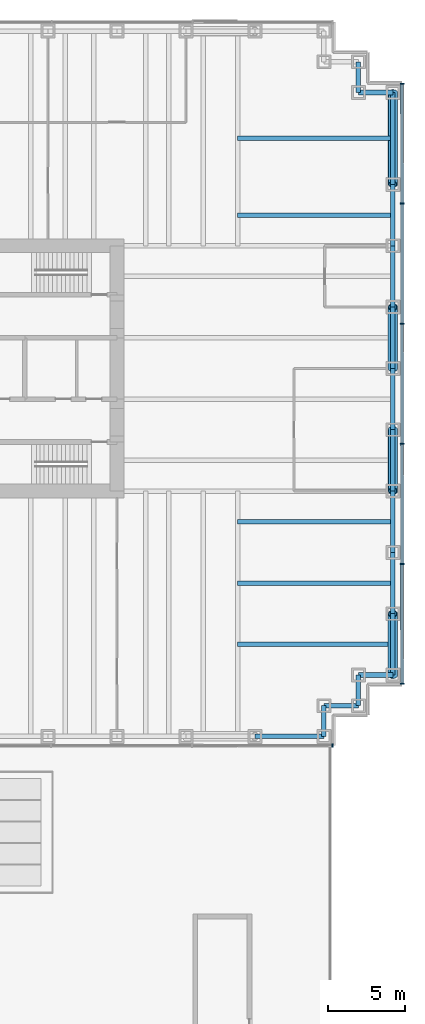
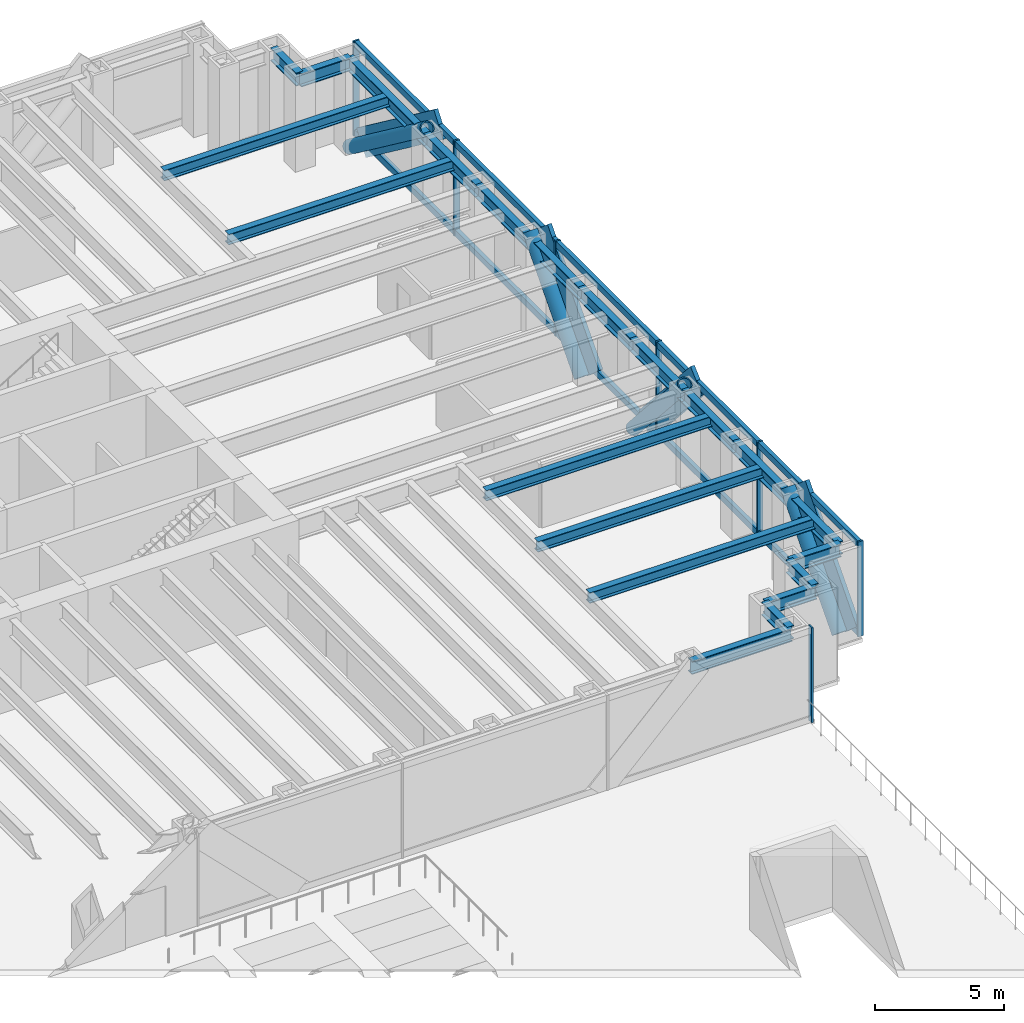
# One storey, part 6 of 15: 25 members, 21 beams, 2 elements without a shape of their own.
"""IFC4 building model written with IfcOpenShell, lengths in metres."""

from ifc_helpers import new_model, si_unit, direction, frame, origin, origin_2d, place, context, subcontext, project, spatial, rectangle, hollow_circle, i_section, extrude, material, material_profile, profile_set, type_object, element, aggregate, save


model = new_model("IFC4")

# Units and contexts
model_context = context("Model", 3, precision=1e-05, world=origin(), true_north=direction((0.0, 1.0)))
body_context = subcontext(model_context, "Body", "Model", "MODEL_VIEW")
ifc_project = project(units=[si_unit("LENGTHUNIT", "METRE"), si_unit("AREAUNIT", "SQUARE_METRE"), si_unit("VOLUMEUNIT", "CUBIC_METRE"), si_unit("PLANEANGLEUNIT", "RADIAN"), si_unit("MASSUNIT", "GRAM", prefix="KILO")], contexts=[model_context])

# Site, building, storey
site_placement = place(None, origin())
site = spatial("IfcSite", under=ifc_project, at=site_placement, CompositionType="ELEMENT")
building_placement = place(site_placement, origin())
building = spatial("IfcBuilding", under=site, at=building_placement, Name="Rheinbord Bourse Tower", CompositionType="ELEMENT")
storey_placement = place(building_placement, frame((0.0, 0.0, 23.0)))
storey = spatial("IfcBuildingStorey", under=building, at=storey_placement, Name="L04", CompositionType="ELEMENT", Elevation=23.0)

# Curtain wall, members
ifc_material_1 = material(Name="Dark glass and black aluminium", Category="aluminium")
curtain_wall_type = type_object("IfcCurtainWallType", Name="CW1 DARK GLASS CURTAIN WALL", PredefinedType="USERDEFINED", material=ifc_material_1)
curtain_wall_1_placement = place(storey_placement, origin())
curtain_wall_1 = element("IfcCurtainWall", 1, at=curtain_wall_1_placement, inside=storey, type_object=curtain_wall_type, Name="Curtain wall CW1 E L04", ObjectType="UNITISED CURTAIN WALL", PredefinedType="USERDEFINED")
ifc_material_2 = material(Name="Black anodised aluminium", Category="aluminium")
ifc_material_profile_1 = material_profile(ifc_material_2, rectangle(XDim=0.179931640625, YDim=1.2099609375, at=origin_2d()), Name="CW1 DIAGONAL MULLION 1210x180")
ifc_profile_set_1 = profile_set([ifc_material_profile_1], Name="Black anodised aluminium")
member_type_1 = type_object("IfcMemberType", Name="CW1 BLACK DIAGONAL MULLION", PredefinedType="USERDEFINED", material=ifc_profile_set_1)
member_1_placement = place(storey_placement, frame((72.60009765625, 24.0, 0.0), z_axis=(0.0, 0.66436383883, 0.747409318684), x_axis=(-1.0, 0.0, 0.0)))
member_1 = element("IfcMember", 2, at=member_1_placement, type_object=member_type_1, Name="CW1 diagonal mullion a", ObjectType="DIAGONAL MULLION", PredefinedType="USERDEFINED", context=body_context, shape_type="SweptSolid", body=[
    extrude(rectangle(XDim=0.179931640625, YDim=1.2099609375, at=origin_2d()), origin(), (0.0, 0.0, 1.0), 6.020751953125),
])
member_2_placement = place(storey_placement, frame((72.60009765625, 20.0, 0.0), z_axis=(0.0, -0.66436383883, 0.747409318684), x_axis=(1.0, 0.0, 0.0)))
member_2 = element("IfcMember", 3, at=member_2_placement, type_object=member_type_1, Name="CW1 diagonal mullion b", ObjectType="DIAGONAL MULLION", PredefinedType="USERDEFINED", context=body_context, shape_type="SweptSolid", body=[
    extrude(rectangle(XDim=0.179931640625, YDim=1.2099609375, at=origin_2d()), origin(), (0.0, 0.0, 1.0), 6.020751953125),
])
member_3_placement = place(storey_placement, frame((72.60009765625, 42.0, 0.0), z_axis=(0.0, -0.8, 0.6), x_axis=(1.0, 0.0, 0.0)))
member_3 = element("IfcMember", 4, at=member_3_placement, type_object=member_type_1, Name="CW1 diagonal mullion c", ObjectType="DIAGONAL MULLION", PredefinedType="USERDEFINED", context=body_context, shape_type="SweptSolid", body=[
    extrude(rectangle(XDim=0.179931640625, YDim=1.2099609375, at=origin_2d()), origin(), (0.0, 0.0, 1.0), 7.5),
])
member_4_placement = place(storey_placement, frame((72.60009765625, 4.0, 0.0), z_axis=(0.0, 0.66436383883, 0.747409318684), x_axis=(-1.0, 0.0, 0.0)))
member_4 = element("IfcMember", 5, at=member_4_placement, type_object=member_type_1, Name="CW1 diagonal mullion d", ObjectType="DIAGONAL MULLION", PredefinedType="USERDEFINED", context=body_context, shape_type="SweptSolid", body=[
    extrude(rectangle(XDim=0.179931640625, YDim=1.2099609375, at=origin_2d()), origin(), (0.0, 0.0, 1.0), 6.020751953125),
])

# Curtain wall, member
curtain_wall_2_placement = place(storey_placement, origin())
curtain_wall_2 = element("IfcCurtainWall", 6, at=curtain_wall_2_placement, inside=storey, type_object=curtain_wall_type, Name="Curtain wall CW1 S L04", ObjectType="UNITISED CURTAIN WALL", PredefinedType="USERDEFINED")
ifc_material_3 = material(Name="Black anodised aluminium", Category="aluminium")
ifc_material_profile_2 = material_profile(ifc_material_3, rectangle(XDim=0.25, YDim=0.080078125, at=origin_2d()), Name="CW1 MULLION 80x250")
ifc_profile_set_2 = profile_set([ifc_material_profile_2], Name="Black anodised aluminium")
member_type_2 = type_object("IfcMemberType", Name="CW1 BLACK MULLION", PredefinedType="MULLION", material=ifc_profile_set_2)
member_5_placement = place(storey_placement, frame((68.06005859375, -0.60009765625, 0.0), z_axis=(0.0, 0.0, 1.0), x_axis=(0.0, 1.0, 0.0)))
member_5 = element("IfcMember", 7, at=member_5_placement, type_object=member_type_2, Name="CW1 mullion 4", PredefinedType="MULLION", context=body_context, shape_type="SweptSolid", body=[
    extrude(rectangle(XDim=0.25, YDim=0.080078125, at=origin_2d()), origin(), (0.0, 0.0, 1.0), 4.5),
])
aggregate(curtain_wall_2, [member_5])

# Member
member_6_placement = place(storey_placement, frame((72.60009765625, 3.43994140625, 0.0), z_axis=(0.0, 0.0, 1.0), x_axis=(-1.0, 0.0, 0.0)))
member_6 = element("IfcMember", 8, at=member_6_placement, type_object=member_type_2, Name="CW1 mullion 1", PredefinedType="MULLION", context=body_context, shape_type="SweptSolid", body=[
    extrude(rectangle(XDim=0.25, YDim=0.080078125, at=origin_2d()), origin(), (0.0, 0.0, 1.0), 4.5),
])

member_7_placement = place(storey_placement, frame((72.60009765625, 11.239990234375, 0.0), z_axis=(0.0, 0.0, 1.0), x_axis=(-1.0, 0.0, 0.0)))
member_7 = element("IfcMember", 9, at=member_7_placement, type_object=member_type_2, Name="CW1 mullion 2", PredefinedType="MULLION", context=body_context, shape_type="SweptSolid", body=[
    extrude(rectangle(XDim=0.25, YDim=0.080078125, at=origin_2d()), origin(), (0.0, 0.0, 1.0), 4.5),
])

member_8_placement = place(storey_placement, frame((72.60009765625, 19.080078125, 0.0), z_axis=(0.0, 0.0, 1.0), x_axis=(-1.0, 0.0, 0.0)))
member_8 = element("IfcMember", 10, at=member_8_placement, type_object=member_type_2, Name="CW1 mullion 3", PredefinedType="MULLION", context=body_context, shape_type="SweptSolid", body=[
    extrude(rectangle(XDim=0.25, YDim=0.080078125, at=origin_2d()), origin(), (0.0, 0.0, 1.0), 4.5),
])

member_9_placement = place(storey_placement, frame((72.60009765625, 26.919921875, 0.0), z_axis=(0.0, 0.0, 1.0), x_axis=(-1.0, 0.0, 0.0)))
member_9 = element("IfcMember", 11, at=member_9_placement, type_object=member_type_2, Name="CW1 mullion 4", PredefinedType="MULLION", context=body_context, shape_type="SweptSolid", body=[
    extrude(rectangle(XDim=0.25, YDim=0.080078125, at=origin_2d()), origin(), (0.0, 0.0, 1.0), 4.5),
])

member_10_placement = place(storey_placement, frame((72.60009765625, 34.760009765625, 0.0), z_axis=(0.0, 0.0, 1.0), x_axis=(-1.0, 0.0, 0.0)))
member_10 = element("IfcMember", 12, at=member_10_placement, type_object=member_type_2, Name="CW1 mullion 5", PredefinedType="MULLION", context=body_context, shape_type="SweptSolid", body=[
    extrude(rectangle(XDim=0.25, YDim=0.080078125, at=origin_2d()), origin(), (0.0, 0.0, 1.0), 4.5),
])

member_11_placement = place(storey_placement, frame((72.60009765625, 42.56005859375, 0.0), z_axis=(0.0, 0.0, 1.0), x_axis=(-1.0, 0.0, 0.0)))
member_11 = element("IfcMember", 13, at=member_11_placement, type_object=member_type_2, Name="CW1 mullion 6", PredefinedType="MULLION", context=body_context, shape_type="SweptSolid", body=[
    extrude(rectangle(XDim=0.25, YDim=0.080078125, at=origin_2d()), origin(), (0.0, 0.0, 1.0), 4.5),
])

ifc_material_4 = material(Name="Black anodised aluminium", Category="aluminium")
ifc_material_profile_3 = material_profile(ifc_material_4, rectangle(XDim=0.179931640625, YDim=0.300048828125, at=origin_2d()), Name="CW1 TRANSOM 300x180")
ifc_profile_set_3 = profile_set([ifc_material_profile_3], Name="Black anodised aluminium")
member_type_3 = type_object("IfcMemberType", Name="CW1 BLACK TRANSOM", PredefinedType="USERDEFINED", material=ifc_profile_set_3)
member_12_placement = place(storey_placement, frame((72.60009765625, 3.47998046875, 0.14990234375), z_axis=(0.0, 1.0, 0.0), x_axis=(-1.0, 0.0, 0.0)))
member_12 = element("IfcMember", 14, at=member_12_placement, type_object=member_type_3, Name="CW1 transom 1.1", ObjectType="TRANSOM", PredefinedType="USERDEFINED", context=body_context, shape_type="SweptSolid", body=[
    extrude(rectangle(XDim=0.179931640625, YDim=0.300048828125, at=origin_2d()), origin(), (0.0, 0.0, 1.0), 7.719970703125),
])

member_13_placement = place(storey_placement, frame((72.60009765625, 3.47998046875, 4.35009765625), z_axis=(0.0, 1.0, 0.0), x_axis=(-1.0, 0.0, 0.0)))
member_13 = element("IfcMember", 15, at=member_13_placement, type_object=member_type_3, Name="CW1 transom 1.2", ObjectType="TRANSOM", PredefinedType="USERDEFINED", context=body_context, shape_type="SweptSolid", body=[
    extrude(rectangle(XDim=0.179931640625, YDim=0.300048828125, at=origin_2d()), origin(), (0.0, 0.0, 1.0), 7.719970703125),
])

member_14_placement = place(storey_placement, frame((72.60009765625, 11.280029296875, 0.14990234375), z_axis=(0.0, 1.0, 0.0), x_axis=(-1.0, 0.0, 0.0)))
member_14 = element("IfcMember", 16, at=member_14_placement, type_object=member_type_3, Name="CW1 transom 2.1", ObjectType="TRANSOM", PredefinedType="USERDEFINED", context=body_context, shape_type="SweptSolid", body=[
    extrude(rectangle(XDim=0.179931640625, YDim=0.300048828125, at=origin_2d()), origin(), (0.0, 0.0, 1.0), 7.760009765625),
])

member_15_placement = place(storey_placement, frame((72.60009765625, 11.280029296875, 4.35009765625), z_axis=(0.0, 1.0, 0.0), x_axis=(-1.0, 0.0, 0.0)))
member_15 = element("IfcMember", 17, at=member_15_placement, type_object=member_type_3, Name="CW1 transom 2.2", ObjectType="TRANSOM", PredefinedType="USERDEFINED", context=body_context, shape_type="SweptSolid", body=[
    extrude(rectangle(XDim=0.179931640625, YDim=0.300048828125, at=origin_2d()), origin(), (0.0, 0.0, 1.0), 7.760009765625),
])

member_16_placement = place(storey_placement, frame((72.60009765625, 19.1201171875, 0.14990234375), z_axis=(0.0, 1.0, 0.0), x_axis=(-1.0, 0.0, 0.0)))
member_16 = element("IfcMember", 18, at=member_16_placement, type_object=member_type_3, Name="CW1 transom 3.1", ObjectType="TRANSOM", PredefinedType="USERDEFINED", context=body_context, shape_type="SweptSolid", body=[
    extrude(rectangle(XDim=0.179931640625, YDim=0.300048828125, at=origin_2d()), origin(), (0.0, 0.0, 1.0), 7.759765625),
])

member_17_placement = place(storey_placement, frame((72.60009765625, 19.1201171875, 4.35009765625), z_axis=(0.0, 1.0, 0.0), x_axis=(-1.0, 0.0, 0.0)))
member_17 = element("IfcMember", 19, at=member_17_placement, type_object=member_type_3, Name="CW1 transom 3.2", ObjectType="TRANSOM", PredefinedType="USERDEFINED", context=body_context, shape_type="SweptSolid", body=[
    extrude(rectangle(XDim=0.179931640625, YDim=0.300048828125, at=origin_2d()), origin(), (0.0, 0.0, 1.0), 7.759765625),
])

member_18_placement = place(storey_placement, frame((72.60009765625, 26.9599609375, 0.14990234375), z_axis=(0.0, 1.0, 0.0), x_axis=(-1.0, 0.0, 0.0)))
member_18 = element("IfcMember", 20, at=member_18_placement, type_object=member_type_3, Name="CW1 transom 4.1", ObjectType="TRANSOM", PredefinedType="USERDEFINED", context=body_context, shape_type="SweptSolid", body=[
    extrude(rectangle(XDim=0.179931640625, YDim=0.300048828125, at=origin_2d()), origin(), (0.0, 0.0, 1.0), 7.760009765625),
])

member_19_placement = place(storey_placement, frame((72.60009765625, 26.9599609375, 4.35009765625), z_axis=(0.0, 1.0, 0.0), x_axis=(-1.0, 0.0, 0.0)))
member_19 = element("IfcMember", 21, at=member_19_placement, type_object=member_type_3, Name="CW1 transom 4.2", ObjectType="TRANSOM", PredefinedType="USERDEFINED", context=body_context, shape_type="SweptSolid", body=[
    extrude(rectangle(XDim=0.179931640625, YDim=0.300048828125, at=origin_2d()), origin(), (0.0, 0.0, 1.0), 7.760009765625),
])

member_20_placement = place(storey_placement, frame((72.60009765625, 34.800048828125, 0.14990234375), z_axis=(0.0, 1.0, 0.0), x_axis=(-1.0, 0.0, 0.0)))
member_20 = element("IfcMember", 22, at=member_20_placement, type_object=member_type_3, Name="CW1 transom 5.1", ObjectType="TRANSOM", PredefinedType="USERDEFINED", context=body_context, shape_type="SweptSolid", body=[
    extrude(rectangle(XDim=0.179931640625, YDim=0.300048828125, at=origin_2d()), origin(), (0.0, 0.0, 1.0), 7.719970703125),
])

member_21_placement = place(storey_placement, frame((72.60009765625, 34.800048828125, 4.35009765625), z_axis=(0.0, 1.0, 0.0), x_axis=(-1.0, 0.0, 0.0)))
member_21 = element("IfcMember", 23, at=member_21_placement, type_object=member_type_3, Name="CW1 transom 5.2", ObjectType="TRANSOM", PredefinedType="USERDEFINED", context=body_context, shape_type="SweptSolid", body=[
    extrude(rectangle(XDim=0.179931640625, YDim=0.300048828125, at=origin_2d()), origin(), (0.0, 0.0, 1.0), 7.719970703125),
])

aggregate(curtain_wall_1, [member_6, member_7, member_8, member_9, member_10, member_11, member_12, member_13, member_14, member_15, member_16, member_17, member_18, member_19, member_20, member_21, member_1, member_2, member_3, member_4])

# Members
ifc_material_5 = material(Name="Steel S460", Category="steel")
ifc_material_profile_4 = material_profile(ifc_material_5, hollow_circle(Radius=0.304931640625, WallThickness=0.050048828125, at=origin_2d()), Name="CHS 610x50")
ifc_profile_set_4 = profile_set([ifc_material_profile_4], Name="Steel S460")
member_type_4 = type_object("IfcMemberType", Name="MEGABRACE CHS 610x50", PredefinedType="BRACE", material=ifc_profile_set_4)
for number, where, z_axis, x_axis, name in (
    (24, (72.0, 24.0, 0.0), (0.0, 0.66436383883, 0.747409318684), (-1.0, 0.0, 0.0), "Megabrace E face line a L04"),
    (25, (72.0, 20.0, 0.0), (0.0, -0.66436383883, 0.747409318684), (1.0, 0.0, 0.0), "Megabrace E face line b L04"),
):
    element("IfcMember", number, at=place(storey_placement, frame(where, z_axis=z_axis, x_axis=x_axis)), inside=storey, type_object=member_type_4, Name=name, PredefinedType="BRACE", context=body_context, shape_type="SweptSolid", body=[
        extrude(hollow_circle(Radius=0.304931640625, WallThickness=0.050048828125, at=origin_2d()), origin(), (0.0, 0.0, 1.0), 6.020751953125),
    ])
member_22_placement = place(storey_placement, frame((72.0, 42.0, 0.0), z_axis=(0.0, -0.8, 0.6), x_axis=(1.0, 0.0, 0.0)))
element("IfcMember", 26, at=member_22_placement, inside=storey, type_object=member_type_4, Name="Megabrace E face line c L04", PredefinedType="BRACE", context=body_context, shape_type="SweptSolid", body=[
    extrude(hollow_circle(Radius=0.304931640625, WallThickness=0.050048828125, at=origin_2d()), origin(), (0.0, 0.0, 1.0), 7.5),
])
member_23_placement = place(storey_placement, frame((72.0, 4.0, 0.0), z_axis=(0.0, 0.66436383883, 0.747409318684), x_axis=(-1.0, 0.0, 0.0)))
element("IfcMember", 27, at=member_23_placement, inside=storey, type_object=member_type_4, Name="Megabrace E face line d L04", PredefinedType="BRACE", context=body_context, shape_type="SweptSolid", body=[
    extrude(hollow_circle(Radius=0.304931640625, WallThickness=0.050048828125, at=origin_2d()), origin(), (0.0, 0.0, 1.0), 6.020751953125),
])

# Beams
ifc_material_6 = material(Name="Steel S460", Category="steel")
ifc_material_profile_5 = material_profile(ifc_material_6, i_section(OverallWidth=0.304931640625, OverallDepth=0.6201171875, WebThickness=0.02099609375, FlangeThickness=0.0400390625, at=origin_2d()), Name="HEM 600")
ifc_profile_set_5 = profile_set([ifc_material_profile_5], Name="Steel S460")
beam_type_1 = type_object("IfcBeamType", Name="SPANDREL HEM 600", PredefinedType="SPANDREL", material=ifc_profile_set_5)
beam_1_placement = place(storey_placement, frame((63.0, 0.0, 4.010009765625), z_axis=(1.0, 0.0, 0.0), x_axis=(0.0, 1.0, 0.0)))
element("IfcBeam", 28, at=beam_1_placement, inside=storey, type_object=beam_type_1, Name="Spandrel S-63-SE-E under L05", PredefinedType="SPANDREL", context=body_context, shape_type="SweptSolid", body=[
    extrude(i_section(OverallWidth=0.304931640625, OverallDepth=0.6201171875, WebThickness=0.02099609375, FlangeThickness=0.0400390625, at=origin_2d()), origin(), (0.0, 0.0, 1.0), 4.5),
])
beam_2_placement = place(storey_placement, frame((67.5, 0.0, 4.010009765625), z_axis=(0.0, 1.0, 0.0), x_axis=(-1.0, 0.0, 0.0)))
element("IfcBeam", 29, at=beam_2_placement, inside=storey, type_object=beam_type_1, Name="Spandrel SE-E-SE-D under L05", PredefinedType="SPANDREL", context=body_context, shape_type="SweptSolid", body=[
    extrude(i_section(OverallWidth=0.304931640625, OverallDepth=0.6201171875, WebThickness=0.02099609375, FlangeThickness=0.0400390625, at=origin_2d()), origin(), (0.0, 0.0, 1.0), 2.0),
])
beam_3_placement = place(storey_placement, frame((67.5, 2.0, 4.010009765625), z_axis=(1.0, 0.0, 0.0), x_axis=(0.0, 1.0, 0.0)))
element("IfcBeam", 30, at=beam_3_placement, inside=storey, type_object=beam_type_1, Name="Spandrel SE-D-SE-C under L05", PredefinedType="SPANDREL", context=body_context, shape_type="SweptSolid", body=[
    extrude(i_section(OverallWidth=0.304931640625, OverallDepth=0.6201171875, WebThickness=0.02099609375, FlangeThickness=0.0400390625, at=origin_2d()), origin(), (0.0, 0.0, 1.0), 2.25),
])
beam_4_placement = place(storey_placement, frame((69.75, 2.0, 4.010009765625), z_axis=(0.0, 1.0, 0.0), x_axis=(-1.0, 0.0, 0.0)))
element("IfcBeam", 31, at=beam_4_placement, inside=storey, type_object=beam_type_1, Name="Spandrel SE-C-SE-B under L05", PredefinedType="SPANDREL", context=body_context, shape_type="SweptSolid", body=[
    extrude(i_section(OverallWidth=0.304931640625, OverallDepth=0.6201171875, WebThickness=0.02099609375, FlangeThickness=0.0400390625, at=origin_2d()), origin(), (0.0, 0.0, 1.0), 2.0),
])
beam_5_placement = place(storey_placement, frame((69.75, 4.0, 4.010009765625), z_axis=(1.0, 0.0, 0.0), x_axis=(0.0, 1.0, 0.0)))
element("IfcBeam", 32, at=beam_5_placement, inside=storey, type_object=beam_type_1, Name="Spandrel SE-B-SE-A under L05", PredefinedType="SPANDREL", context=body_context, shape_type="SweptSolid", body=[
    extrude(i_section(OverallWidth=0.304931640625, OverallDepth=0.6201171875, WebThickness=0.02099609375, FlangeThickness=0.0400390625, at=origin_2d()), origin(), (0.0, 0.0, 1.0), 2.25),
])
for number, where, z_axis, x_axis, name in (
    (33, (72.0, 4.0, 4.010009765625), (0.0, 1.0, 0.0), (-1.0, 0.0, 0.0), "Spandrel SE-A-E-8 under L05"),
    (34, (72.0, 8.0, 4.010009765625), (0.0, 1.0, 0.0), (-1.0, 0.0, 0.0), "Spandrel E-8-E-12 under L05"),
    (35, (72.0, 12.0, 4.010009765625), (0.0, 1.0, 0.0), (-1.0, 0.0, 0.0), "Spandrel E-12-E-16 under L05"),
    (36, (72.0, 16.0, 4.010009765625), (0.0, 1.0, 0.0), (-1.0, 0.0, 0.0), "Spandrel E-16-E-20 under L05"),
    (37, (72.0, 20.0, 4.010009765625), (0.0, 1.0, 0.0), (-1.0, 0.0, 0.0), "Spandrel E-20-E-24 under L05"),
    (38, (72.0, 24.0, 4.010009765625), (0.0, 1.0, 0.0), (-1.0, 0.0, 0.0), "Spandrel E-24-E-28 under L05"),
    (39, (72.0, 28.0, 4.010009765625), (0.0, 1.0, 0.0), (-1.0, 0.0, 0.0), "Spandrel E-28-E-32 under L05"),
    (40, (72.0, 32.0, 4.010009765625), (0.0, 1.0, 0.0), (-1.0, 0.0, 0.0), "Spandrel E-32-E-36 under L05"),
):
    element("IfcBeam", number, at=place(storey_placement, frame(where, z_axis=z_axis, x_axis=x_axis)), inside=storey, type_object=beam_type_1, Name=name, PredefinedType="SPANDREL", context=body_context, shape_type="SweptSolid", body=[
        extrude(i_section(OverallWidth=0.304931640625, OverallDepth=0.6201171875, WebThickness=0.02099609375, FlangeThickness=0.0400390625, at=origin_2d()), origin(), (0.0, 0.0, 1.0), 4.0),
    ])
beam_6_placement = place(storey_placement, frame((72.0, 36.0, 4.010009765625), z_axis=(0.0, 1.0, 0.0), x_axis=(-1.0, 0.0, 0.0)))
element("IfcBeam", 41, at=beam_6_placement, inside=storey, type_object=beam_type_1, Name="Spandrel E-36-NE-A under L05", PredefinedType="SPANDREL", context=body_context, shape_type="SweptSolid", body=[
    extrude(i_section(OverallWidth=0.304931640625, OverallDepth=0.6201171875, WebThickness=0.02099609375, FlangeThickness=0.0400390625, at=origin_2d()), origin(), (0.0, 0.0, 1.0), 6.0),
])
beam_7_placement = place(storey_placement, frame((72.0, 42.0, 4.010009765625), z_axis=(-1.0, 0.0, 0.0), x_axis=(0.0, -1.0, 0.0)))
element("IfcBeam", 42, at=beam_7_placement, inside=storey, type_object=beam_type_1, Name="Spandrel NE-A-NE-B under L05", PredefinedType="SPANDREL", context=body_context, shape_type="SweptSolid", body=[
    extrude(i_section(OverallWidth=0.304931640625, OverallDepth=0.6201171875, WebThickness=0.02099609375, FlangeThickness=0.0400390625, at=origin_2d()), origin(), (0.0, 0.0, 1.0), 2.25),
])
beam_8_placement = place(storey_placement, frame((69.75, 42.0, 4.010009765625), z_axis=(0.0, 1.0, 0.0), x_axis=(-1.0, 0.0, 0.0)))
element("IfcBeam", 43, at=beam_8_placement, inside=storey, type_object=beam_type_1, Name="Spandrel NE-B-NE-C under L05", PredefinedType="SPANDREL", context=body_context, shape_type="SweptSolid", body=[
    extrude(i_section(OverallWidth=0.304931640625, OverallDepth=0.6201171875, WebThickness=0.02099609375, FlangeThickness=0.0400390625, at=origin_2d()), origin(), (0.0, 0.0, 1.0), 2.0),
])
ifc_material_7 = material(Name="Steel S460", Category="steel")
ifc_material_profile_6 = material_profile(ifc_material_7, i_section(OverallWidth=0.300048828125, OverallDepth=0.5, WebThickness=0.014404296875, FlangeThickness=0.028076171875, at=origin_2d()), Name="HEB 500")
ifc_profile_set_6 = profile_set([ifc_material_profile_6], Name="Steel S460")
beam_type_2 = type_object("IfcBeamType", Name="TIE BEAM HEB 500", PredefinedType="JOIST", material=ifc_profile_set_6)
for number, where, z_axis, x_axis, name in (
    (44, (61.875, 6.0, 4.070068359375), (1.0, 0.0, 0.0), (0.0, 1.0, 0.0), "Tie east 6 L05"),
    (45, (61.875, 10.0, 4.070068359375), (1.0, 0.0, 0.0), (0.0, 1.0, 0.0), "Tie east 10 L05"),
    (46, (61.875, 14.0, 4.070068359375), (1.0, 0.0, 0.0), (0.0, 1.0, 0.0), "Tie east 14 L05"),
    (47, (61.875, 34.0, 4.070068359375), (1.0, 0.0, 0.0), (0.0, 1.0, 0.0), "Tie east 34 L05"),
    (48, (61.875, 39.0, 4.070068359375), (1.0, 0.0, 0.0), (0.0, 1.0, 0.0), "Tie east 39 L05"),
):
    element("IfcBeam", number, at=place(storey_placement, frame(where, z_axis=z_axis, x_axis=x_axis)), inside=storey, type_object=beam_type_2, Name=name, PredefinedType="JOIST", context=body_context, shape_type="SweptSolid", body=[
        extrude(i_section(OverallWidth=0.300048828125, OverallDepth=0.5, WebThickness=0.014404296875, FlangeThickness=0.028076171875, at=origin_2d()), origin(), (0.0, 0.0, 1.0), 10.125),
    ])

save(model, "model.ifc")
